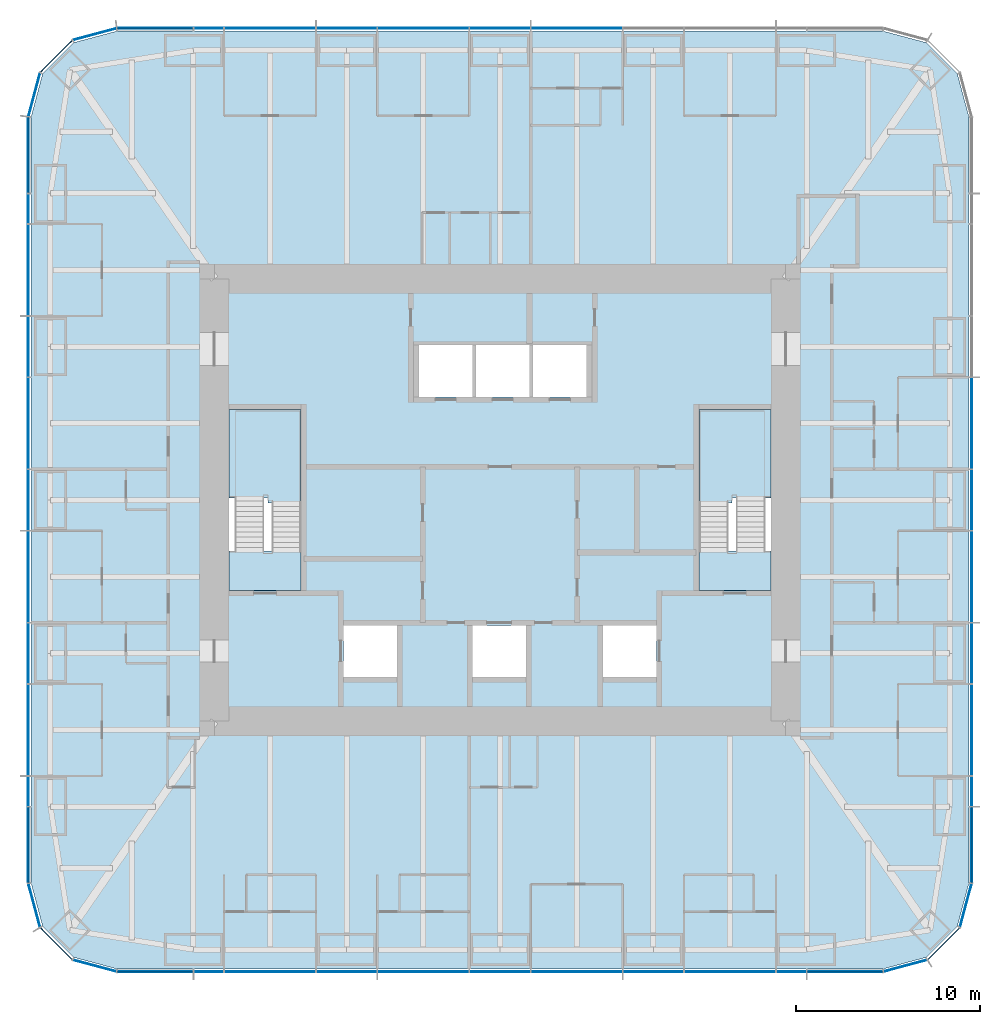
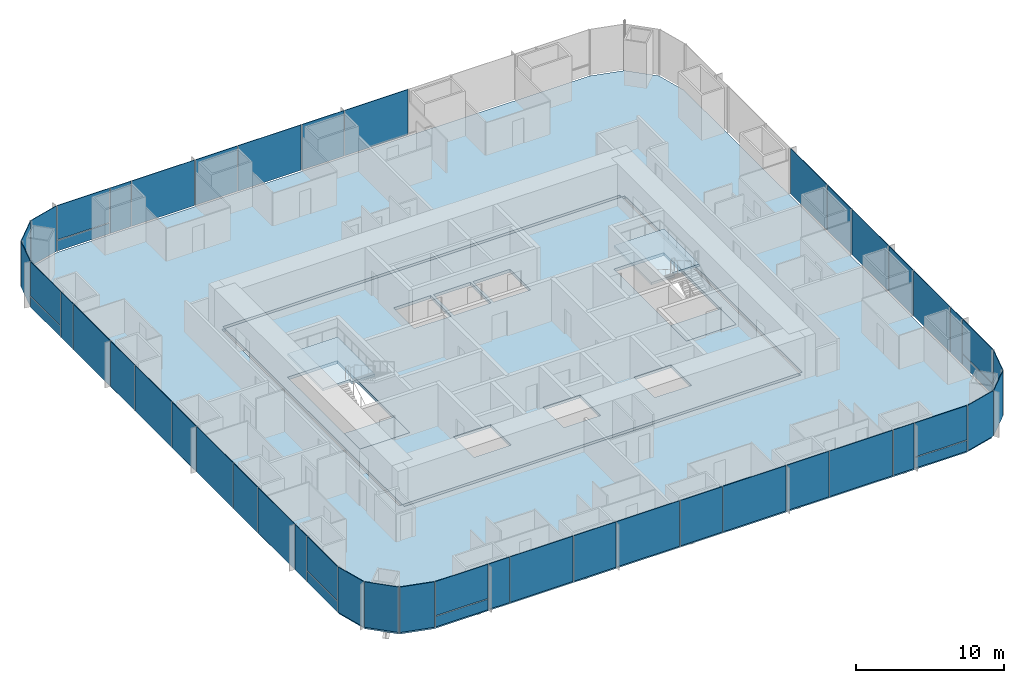
# One storey, part 7 of 13: 51 plates, 6 slabs, 9 elements without a shape of their own.
"""IFC4 building model written with IfcOpenShell, lengths in metres."""

from ifc_helpers import new_model, si_unit, direction, frame, origin, origin_2d, place, context, subcontext, project, spatial, polyline, rectangle, outline, extrude, material, layer, layer_set, type_object, element, aggregate, save


model = new_model("IFC4")

# Units and contexts
model_context = context("Model", 3, precision=1e-05, world=origin(), true_north=direction((0.0, 1.0)))
body_context = subcontext(model_context, "Body", "Model", "MODEL_VIEW")
ifc_project = project(units=[si_unit("LENGTHUNIT", "METRE"), si_unit("AREAUNIT", "SQUARE_METRE"), si_unit("VOLUMEUNIT", "CUBIC_METRE"), si_unit("PLANEANGLEUNIT", "RADIAN"), si_unit("MASSUNIT", "GRAM", prefix="KILO")], contexts=[model_context])

# Site, building, storey
site_placement = place(None, origin())
site = spatial("IfcSite", under=ifc_project, at=site_placement, CompositionType="ELEMENT")
building_placement = place(site_placement, origin())
building = spatial("IfcBuilding", under=site, at=building_placement, Name="Khuree Lantern Residences", CompositionType="ELEMENT")
storey_placement = place(building_placement, frame((0.0, 0.0, 270.75)))
storey = spatial("IfcBuildingStorey", under=building, at=storey_placement, Name="L68", CompositionType="ELEMENT", Elevation=270.75)

# Slab
ifc_material_1 = material(Name="Concrete C35/45", Category="concrete")
ifc_layer_1 = layer(ifc_material_1, 0.25)
ifc_layer_set_1 = layer_set([ifc_layer_1], Name="CFL250 CORE FLOOR SLAB 250")
slab_type_1 = type_object("IfcSlabType", Name="CFL250 CORE FLOOR SLAB 250", PredefinedType="FLOOR", material=ifc_layer_set_1)
slab_1_placement = place(storey_placement, frame((0.0, 0.0, -0.25)))
element("IfcSlab", 1, at=slab_1_placement, inside=storey, type_object=slab_type_1, Name="Core floor L68", PredefinedType="FLOOR", context=body_context, shape_type="SweptSolid", body=[
    extrude(outline(polyline([(-15.5, -12.0), (-15.5, 12.0), (15.5, 12.0), (15.5, -12.0), (-15.5, -12.0)]), holes=[polyline([(10.800048828125, 4.89990234375), (10.800048828125, -4.89990234375), (14.699951171875, -4.89990234375), (14.699951171875, 4.89990234375), (10.800048828125, 4.89990234375)]), polyline([(5.60009765625, -6.800048828125), (5.60009765625, -9.60009765625), (8.5, -9.60009765625), (8.5, -6.800048828125), (5.60009765625, -6.800048828125)]), polyline([(1.800048828125, 8.39990234375), (1.800048828125, 5.60009765625), (4.699951171875, 5.60009765625), (4.699951171875, 8.39990234375), (1.800048828125, 8.39990234375)]), polyline([(-1.300048828125, 8.39990234375), (-1.300048828125, 5.60009765625), (1.60009765625, 5.60009765625), (1.60009765625, 8.39990234375), (-1.300048828125, 8.39990234375)]), polyline([(-1.5, -6.800048828125), (-1.5, -9.60009765625), (1.39990234375, -9.60009765625), (1.39990234375, -6.800048828125), (-1.5, -6.800048828125)]), polyline([(-4.39990234375, 8.39990234375), (-4.39990234375, 5.60009765625), (-1.5, 5.60009765625), (-1.5, 8.39990234375), (-4.39990234375, 8.39990234375)]), polyline([(-8.5, -6.800048828125), (-8.5, -9.60009765625), (-5.60009765625, -9.60009765625), (-5.60009765625, -6.800048828125), (-8.5, -6.800048828125)]), polyline([(-14.699951171875, 4.89990234375), (-14.699951171875, -4.89990234375), (-10.800048828125, -4.89990234375), (-10.800048828125, 4.89990234375), (-14.699951171875, 4.89990234375)])]), origin(), (0.0, 0.0, 1.0), 0.25),
])

# Curtain wall, plates
ifc_material_2 = material(Name="Bronze anodised aluminium", Category="aluminium")
curtain_wall_type_1 = type_object("IfcCurtainWallType", Name="CW-T2 TOWER CORNER CURTAIN WALL", PredefinedType="USERDEFINED", material=ifc_material_2)
curtain_wall_1_placement = place(storey_placement, origin())
curtain_wall_1 = element("IfcCurtainWall", 2, at=curtain_wall_1_placement, inside=storey, type_object=curtain_wall_type_1, Name="L68 SOUTH-EAST CORNER CURTAIN WALL", ObjectType="Faceted corner curtain wall", PredefinedType="USERDEFINED")
ifc_material_3 = material(Name="Bronze tinted triple glazing", Category="glass")
ifc_layer_2 = layer(ifc_material_3, 0.048095703125)
ifc_layer_set_2 = layer_set([ifc_layer_2], Name="FACET PANEL P4")
plate_type_1 = type_object("IfcPlateType", Name="FACET PANEL P4", PredefinedType="CURTAIN_PANEL", material=ifc_layer_set_2)
plate_1_placement = place(storey_placement, frame((21.998046875, -25.279052734375, 0.0), z_axis=(0.0, 0.0, 1.0), x_axis=(0.965925832509, 0.258819021888, 0.0)))
plate_1 = element("IfcPlate", 3, at=plate_1_placement, type_object=plate_type_1, Name="L68 SOUTH-EAST CORNER PANEL 1.1", PredefinedType="CURTAIN_PANEL", context=body_context, shape_type="SweptSolid", body=[
    extrude(rectangle(XDim=2.40869140625, YDim=0.048095703125, at=origin_2d()), origin(), (0.0, 0.0, 1.0), 3.75),
])
plate_2_placement = place(storey_placement, frame((24.078369140625, -24.078369140625, 0.0), z_axis=(0.0, 0.0, 1.0), x_axis=(0.707106781187, 0.707106781187, 0.0)))
plate_2 = element("IfcPlate", 4, at=plate_2_placement, type_object=plate_type_1, Name="L68 SOUTH-EAST CORNER PANEL 2.1", PredefinedType="CURTAIN_PANEL", context=body_context, shape_type="SweptSolid", body=[
    extrude(rectangle(XDim=2.404541015625, YDim=0.048095703125, at=origin_2d()), origin(), (0.0, 0.0, 1.0), 3.75),
])
plate_3_placement = place(storey_placement, frame((25.279052734375, -21.998046875, 0.0), z_axis=(0.0, 0.0, 1.0), x_axis=(0.258819021888, 0.965925832509, 0.0)))
plate_3 = element("IfcPlate", 5, at=plate_3_placement, type_object=plate_type_1, Name="L68 SOUTH-EAST CORNER PANEL 3.1", PredefinedType="CURTAIN_PANEL", context=body_context, shape_type="SweptSolid", body=[
    extrude(rectangle(XDim=2.40869140625, YDim=0.048095703125, at=origin_2d()), origin(), (0.0, 0.0, 1.0), 3.75),
])
aggregate(curtain_wall_1, [plate_1, plate_2, plate_3])

curtain_wall_2_placement = place(storey_placement, origin())
curtain_wall_2 = element("IfcCurtainWall", 6, at=curtain_wall_2_placement, inside=storey, type_object=curtain_wall_type_1, Name="L68 NORTH-WEST CORNER CURTAIN WALL", ObjectType="Faceted corner curtain wall", PredefinedType="USERDEFINED")
plate_4_placement = place(storey_placement, frame((-21.998046875, 25.279052734375, 0.0), z_axis=(0.0, 0.0, 1.0), x_axis=(-0.965925832509, -0.258819021888, 0.0)))
plate_4 = element("IfcPlate", 7, at=plate_4_placement, type_object=plate_type_1, Name="L68 NORTH-WEST CORNER PANEL 29.1", PredefinedType="CURTAIN_PANEL", context=body_context, shape_type="SweptSolid", body=[
    extrude(rectangle(XDim=2.40869140625, YDim=0.048095703125, at=origin_2d()), origin(), (0.0, 0.0, 1.0), 3.75),
])
plate_5_placement = place(storey_placement, frame((-24.078369140625, 24.078369140625, 0.0), z_axis=(0.0, 0.0, 1.0), x_axis=(-0.707106781187, -0.707106781187, 0.0)))
plate_5 = element("IfcPlate", 8, at=plate_5_placement, type_object=plate_type_1, Name="L68 NORTH-WEST CORNER PANEL 30.1", PredefinedType="CURTAIN_PANEL", context=body_context, shape_type="SweptSolid", body=[
    extrude(rectangle(XDim=2.404541015625, YDim=0.048095703125, at=origin_2d()), origin(), (0.0, 0.0, 1.0), 3.75),
])
plate_6_placement = place(storey_placement, frame((-25.279052734375, 21.998046875, 0.0), z_axis=(0.0, 0.0, 1.0), x_axis=(-0.258819021888, -0.965925832509, 0.0)))
plate_6 = element("IfcPlate", 9, at=plate_6_placement, type_object=plate_type_1, Name="L68 NORTH-WEST CORNER PANEL 31.1", PredefinedType="CURTAIN_PANEL", context=body_context, shape_type="SweptSolid", body=[
    extrude(rectangle(XDim=2.40869140625, YDim=0.048095703125, at=origin_2d()), origin(), (0.0, 0.0, 1.0), 3.75),
])
aggregate(curtain_wall_2, [plate_4, plate_5, plate_6])

curtain_wall_3_placement = place(storey_placement, origin())
curtain_wall_3 = element("IfcCurtainWall", 10, at=curtain_wall_3_placement, inside=storey, type_object=curtain_wall_type_1, Name="L68 SOUTH-WEST CORNER CURTAIN WALL", ObjectType="Faceted corner curtain wall", PredefinedType="USERDEFINED")
plate_7_placement = place(storey_placement, frame((-25.279052734375, -21.998046875, 0.0), z_axis=(0.0, 0.0, 1.0), x_axis=(0.258819021888, -0.965925832509, 0.0)))
plate_7 = element("IfcPlate", 11, at=plate_7_placement, type_object=plate_type_1, Name="L68 SOUTH-WEST CORNER PANEL 43.1", PredefinedType="CURTAIN_PANEL", context=body_context, shape_type="SweptSolid", body=[
    extrude(rectangle(XDim=2.40869140625, YDim=0.048095703125, at=origin_2d()), origin(), (0.0, 0.0, 1.0), 3.75),
])
plate_8_placement = place(storey_placement, frame((-24.078369140625, -24.078369140625, 0.0), z_axis=(0.0, 0.0, 1.0), x_axis=(0.707106781187, -0.707106781187, 0.0)))
plate_8 = element("IfcPlate", 12, at=plate_8_placement, type_object=plate_type_1, Name="L68 SOUTH-WEST CORNER PANEL 44.1", PredefinedType="CURTAIN_PANEL", context=body_context, shape_type="SweptSolid", body=[
    extrude(rectangle(XDim=2.404541015625, YDim=0.048095703125, at=origin_2d()), origin(), (0.0, 0.0, 1.0), 3.75),
])
plate_9_placement = place(storey_placement, frame((-21.998046875, -25.279052734375, 0.0), z_axis=(0.0, 0.0, 1.0), x_axis=(0.965925832509, -0.258819021888, 0.0)))
plate_9 = element("IfcPlate", 13, at=plate_9_placement, type_object=plate_type_1, Name="L68 SOUTH-WEST CORNER PANEL 45.1", PredefinedType="CURTAIN_PANEL", context=body_context, shape_type="SweptSolid", body=[
    extrude(rectangle(XDim=2.40869140625, YDim=0.048095703125, at=origin_2d()), origin(), (0.0, 0.0, 1.0), 3.75),
])
aggregate(curtain_wall_3, [plate_7, plate_8, plate_9])

curtain_wall_type_2 = type_object("IfcCurtainWallType", Name="CW-T1 TOWER FACE CURTAIN WALL", PredefinedType="USERDEFINED", material=ifc_material_2)
curtain_wall_4_placement = place(storey_placement, origin())
curtain_wall_4 = element("IfcCurtainWall", 14, at=curtain_wall_4_placement, inside=storey, type_object=curtain_wall_type_2, Name="L68 EAST FACE CURTAIN WALL", ObjectType="Stick-built curtain wall", PredefinedType="USERDEFINED")
ifc_material_4 = material(Name="Bronze tinted triple glazing with a ceramic-fritted spandrel band", Category="glass")
ifc_layer_3 = layer(ifc_material_4, 0.048095703125)
ifc_layer_set_3 = layer_set([ifc_layer_3], Name="FIXED LIGHT PANEL P11")
plate_type_2 = type_object("IfcPlateType", Name="FIXED LIGHT PANEL P11", PredefinedType="CURTAIN_PANEL", material=ifc_layer_set_3)
plate_10_placement = place(storey_placement, frame((25.60009765625, -12.47998046875, 0.0), z_axis=(0.0, 0.0, 1.0), x_axis=(0.0, 1.0, 0.0)))
plate_10 = element("IfcPlate", 15, at=plate_10_placement, type_object=plate_type_2, Name="L68 EAST FACE PANEL 6.1", PredefinedType="CURTAIN_PANEL", context=body_context, shape_type="SweptSolid", body=[
    extrude(rectangle(XDim=4.927001953125, YDim=0.048095703125, at=origin_2d()), origin(), (0.0, 0.0, 1.0), 3.75),
])
plate_11_placement = place(storey_placement, frame((25.60009765625, -4.159912109375, 0.0), z_axis=(0.0, 0.0, 1.0), x_axis=(0.0, 1.0, 0.0)))
plate_11 = element("IfcPlate", 16, at=plate_11_placement, type_object=plate_type_2, Name="L68 EAST FACE PANEL 8.1", PredefinedType="CURTAIN_PANEL", context=body_context, shape_type="SweptSolid", body=[
    extrude(rectangle(XDim=4.927001953125, YDim=0.048095703125, at=origin_2d()), origin(), (0.0, 0.0, 1.0), 3.75),
])
plate_12_placement = place(storey_placement, frame((25.60009765625, 4.159912109375, 0.0), z_axis=(0.0, 0.0, 1.0), x_axis=(0.0, 1.0, 0.0)))
plate_12 = element("IfcPlate", 17, at=plate_12_placement, type_object=plate_type_2, Name="L68 EAST FACE PANEL 10.1", PredefinedType="CURTAIN_PANEL", context=body_context, shape_type="SweptSolid", body=[
    extrude(rectangle(XDim=4.927001953125, YDim=0.048095703125, at=origin_2d()), origin(), (0.0, 0.0, 1.0), 3.75),
])

curtain_wall_5_placement = place(storey_placement, origin())
curtain_wall_5 = element("IfcCurtainWall", 18, at=curtain_wall_5_placement, inside=storey, type_object=curtain_wall_type_2, Name="L68 NORTH FACE CURTAIN WALL", ObjectType="Stick-built curtain wall", PredefinedType="USERDEFINED")
plate_13_placement = place(storey_placement, frame((4.159912109375, 25.60009765625, 0.0), z_axis=(0.0, 0.0, 1.0), x_axis=(-1.0, 0.0, 0.0)))
plate_13 = element("IfcPlate", 19, at=plate_13_placement, type_object=plate_type_2, Name="L68 NORTH FACE PANEL 22.1", PredefinedType="CURTAIN_PANEL", context=body_context, shape_type="SweptSolid", body=[
    extrude(rectangle(XDim=4.927001953125, YDim=0.048095703125, at=origin_2d()), origin(), (0.0, 0.0, 1.0), 3.75),
])
plate_14_placement = place(storey_placement, frame((-4.159912109375, 25.60009765625, 0.0), z_axis=(0.0, 0.0, 1.0), x_axis=(-1.0, 0.0, 0.0)))
plate_14 = element("IfcPlate", 20, at=plate_14_placement, type_object=plate_type_2, Name="L68 NORTH FACE PANEL 24.1", PredefinedType="CURTAIN_PANEL", context=body_context, shape_type="SweptSolid", body=[
    extrude(rectangle(XDim=4.927001953125, YDim=0.048095703125, at=origin_2d()), origin(), (0.0, 0.0, 1.0), 3.75),
])
plate_15_placement = place(storey_placement, frame((-12.47998046875, 25.60009765625, 0.0), z_axis=(0.0, 0.0, 1.0), x_axis=(-1.0, 0.0, 0.0)))
plate_15 = element("IfcPlate", 21, at=plate_15_placement, type_object=plate_type_2, Name="L68 NORTH FACE PANEL 26.1", PredefinedType="CURTAIN_PANEL", context=body_context, shape_type="SweptSolid", body=[
    extrude(rectangle(XDim=4.927001953125, YDim=0.048095703125, at=origin_2d()), origin(), (0.0, 0.0, 1.0), 3.75),
])

curtain_wall_6_placement = place(storey_placement, origin())
curtain_wall_6 = element("IfcCurtainWall", 22, at=curtain_wall_6_placement, inside=storey, type_object=curtain_wall_type_2, Name="L68 WEST FACE CURTAIN WALL", ObjectType="Stick-built curtain wall", PredefinedType="USERDEFINED")
plate_16_placement = place(storey_placement, frame((-25.60009765625, 12.47998046875, 0.0), z_axis=(0.0, 0.0, 1.0), x_axis=(0.0, -1.0, 0.0)))
plate_16 = element("IfcPlate", 23, at=plate_16_placement, type_object=plate_type_2, Name="L68 WEST FACE PANEL 34.1", PredefinedType="CURTAIN_PANEL", context=body_context, shape_type="SweptSolid", body=[
    extrude(rectangle(XDim=4.927001953125, YDim=0.048095703125, at=origin_2d()), origin(), (0.0, 0.0, 1.0), 3.75),
])
plate_17_placement = place(storey_placement, frame((-25.60009765625, 4.159912109375, 0.0), z_axis=(0.0, 0.0, 1.0), x_axis=(0.0, -1.0, 0.0)))
plate_17 = element("IfcPlate", 24, at=plate_17_placement, type_object=plate_type_2, Name="L68 WEST FACE PANEL 36.1", PredefinedType="CURTAIN_PANEL", context=body_context, shape_type="SweptSolid", body=[
    extrude(rectangle(XDim=4.927001953125, YDim=0.048095703125, at=origin_2d()), origin(), (0.0, 0.0, 1.0), 3.75),
])
plate_18_placement = place(storey_placement, frame((-25.60009765625, -4.159912109375, 0.0), z_axis=(0.0, 0.0, 1.0), x_axis=(0.0, -1.0, 0.0)))
plate_18 = element("IfcPlate", 25, at=plate_18_placement, type_object=plate_type_2, Name="L68 WEST FACE PANEL 38.1", PredefinedType="CURTAIN_PANEL", context=body_context, shape_type="SweptSolid", body=[
    extrude(rectangle(XDim=4.927001953125, YDim=0.048095703125, at=origin_2d()), origin(), (0.0, 0.0, 1.0), 3.75),
])
plate_19_placement = place(storey_placement, frame((-25.60009765625, -12.47998046875, 0.0), z_axis=(0.0, 0.0, 1.0), x_axis=(0.0, -1.0, 0.0)))
plate_19 = element("IfcPlate", 26, at=plate_19_placement, type_object=plate_type_2, Name="L68 WEST FACE PANEL 40.1", PredefinedType="CURTAIN_PANEL", context=body_context, shape_type="SweptSolid", body=[
    extrude(rectangle(XDim=4.927001953125, YDim=0.048095703125, at=origin_2d()), origin(), (0.0, 0.0, 1.0), 3.75),
])

curtain_wall_7_placement = place(storey_placement, origin())
curtain_wall_7 = element("IfcCurtainWall", 27, at=curtain_wall_7_placement, inside=storey, type_object=curtain_wall_type_2, Name="L68 SOUTH FACE CURTAIN WALL", ObjectType="Stick-built curtain wall", PredefinedType="USERDEFINED")
plate_20_placement = place(storey_placement, frame((-12.47998046875, -25.60009765625, 0.0), z_axis=(0.0, 0.0, 1.0), x_axis=(1.0, 0.0, 0.0)))
plate_20 = element("IfcPlate", 28, at=plate_20_placement, type_object=plate_type_2, Name="L68 SOUTH FACE PANEL 48.1", PredefinedType="CURTAIN_PANEL", context=body_context, shape_type="SweptSolid", body=[
    extrude(rectangle(XDim=4.927001953125, YDim=0.048095703125, at=origin_2d()), origin(), (0.0, 0.0, 1.0), 3.75),
])
plate_21_placement = place(storey_placement, frame((-4.159912109375, -25.60009765625, 0.0), z_axis=(0.0, 0.0, 1.0), x_axis=(1.0, 0.0, 0.0)))
plate_21 = element("IfcPlate", 29, at=plate_21_placement, type_object=plate_type_2, Name="L68 SOUTH FACE PANEL 50.1", PredefinedType="CURTAIN_PANEL", context=body_context, shape_type="SweptSolid", body=[
    extrude(rectangle(XDim=4.927001953125, YDim=0.048095703125, at=origin_2d()), origin(), (0.0, 0.0, 1.0), 3.75),
])
plate_22_placement = place(storey_placement, frame((4.159912109375, -25.60009765625, 0.0), z_axis=(0.0, 0.0, 1.0), x_axis=(1.0, 0.0, 0.0)))
plate_22 = element("IfcPlate", 30, at=plate_22_placement, type_object=plate_type_2, Name="L68 SOUTH FACE PANEL 52.1", PredefinedType="CURTAIN_PANEL", context=body_context, shape_type="SweptSolid", body=[
    extrude(rectangle(XDim=4.927001953125, YDim=0.048095703125, at=origin_2d()), origin(), (0.0, 0.0, 1.0), 3.75),
])
plate_23_placement = place(storey_placement, frame((12.47998046875, -25.60009765625, 0.0), z_axis=(0.0, 0.0, 1.0), x_axis=(1.0, 0.0, 0.0)))
plate_23 = element("IfcPlate", 31, at=plate_23_placement, type_object=plate_type_2, Name="L68 SOUTH FACE PANEL 54.1", PredefinedType="CURTAIN_PANEL", context=body_context, shape_type="SweptSolid", body=[
    extrude(rectangle(XDim=4.927001953125, YDim=0.048095703125, at=origin_2d()), origin(), (0.0, 0.0, 1.0), 3.75),
])

# Slab
ifc_layer_4 = layer(ifc_material_1, 0.25)
ifc_layer_set_4 = layer_set([ifc_layer_4], Name="FS250 FLOOR SLAB 250")
slab_type_2 = type_object("IfcSlabType", Name="FS250 FLOOR SLAB 250", PredefinedType="FLOOR", material=ifc_layer_set_4)
slab_2_placement = place(storey_placement, frame((0.0, 0.0, -0.25)))
element("IfcSlab", 32, at=slab_2_placement, inside=storey, type_object=slab_type_2, Name="Floor slab L68", PredefinedType="FLOOR", context=body_context, shape_type="SweptSolid", body=[
    extrude(outline(polyline([(-23.125, -24.826904296875), (-24.826904296875, -23.125), (-25.449951171875, -20.800048828125), (-25.449951171875, 20.800048828125), (-24.826904296875, 23.125), (-23.125, 24.826904296875), (-20.800048828125, 25.449951171875), (20.800048828125, 25.449951171875), (23.125, 24.826904296875), (24.826904296875, 23.125), (25.449951171875, 20.800048828125), (25.449951171875, -20.800048828125), (24.826904296875, -23.125), (23.125, -24.826904296875), (20.800048828125, -25.449951171875), (-20.800048828125, -25.449951171875), (-23.125, -24.826904296875)]), holes=[polyline([(15.75, 12.0), (15.5, 12.0), (15.5, 12.25), (-15.5, 12.25), (-15.5, 12.0), (-15.75, 12.0), (-15.75, -12.0), (-15.5, -12.0), (-15.5, -12.25), (15.5, -12.25), (15.5, -12.0), (15.75, -12.0), (15.75, 12.0)])]), origin(), (0.0, 0.0, 1.0), 0.25),
])

# Plate
ifc_material_5 = material(Name="Bronze tinted triple glazing, two aluminium-framed sashes in one frame", Category="aluminium")
ifc_layer_5 = layer(ifc_material_5, 0.048095703125)
ifc_layer_set_5 = layer_set([ifc_layer_5], Name="SASH PAIR PANEL P12")
plate_type_3 = type_object("IfcPlateType", Name="SASH PAIR PANEL P12", PredefinedType="CURTAIN_PANEL", material=ifc_layer_set_5)
plate_24_placement = place(storey_placement, frame((25.60009765625, -8.320068359375, 0.0), z_axis=(0.0, 0.0, 1.0), x_axis=(0.0, 1.0, 0.0)))
plate_24 = element("IfcPlate", 33, at=plate_24_placement, type_object=plate_type_3, Name="L68 EAST FACE PANEL 7.1", PredefinedType="CURTAIN_PANEL", context=body_context, shape_type="SweptSolid", body=[
    extrude(rectangle(XDim=3.262939453125, YDim=0.048095703125, at=origin_2d()), origin(), (0.0, 0.0, 1.0), 3.75),
])

plate_25_placement = place(storey_placement, frame((25.60009765625, 0.0, 0.0), z_axis=(0.0, 0.0, 1.0), x_axis=(0.0, 1.0, 0.0)))
plate_25 = element("IfcPlate", 34, at=plate_25_placement, type_object=plate_type_3, Name="L68 EAST FACE PANEL 9.1", PredefinedType="CURTAIN_PANEL", context=body_context, shape_type="SweptSolid", body=[
    extrude(rectangle(XDim=3.262939453125, YDim=0.048095703125, at=origin_2d()), origin(), (0.0, 0.0, 1.0), 3.75),
])

plate_26_placement = place(storey_placement, frame((0.0, 25.60009765625, 0.0), z_axis=(0.0, 0.0, 1.0), x_axis=(-1.0, 0.0, 0.0)))
plate_26 = element("IfcPlate", 35, at=plate_26_placement, type_object=plate_type_3, Name="L68 NORTH FACE PANEL 23.1", PredefinedType="CURTAIN_PANEL", context=body_context, shape_type="SweptSolid", body=[
    extrude(rectangle(XDim=3.262939453125, YDim=0.048095703125, at=origin_2d()), origin(), (0.0, 0.0, 1.0), 3.75),
])

plate_27_placement = place(storey_placement, frame((-8.320068359375, 25.60009765625, 0.0), z_axis=(0.0, 0.0, 1.0), x_axis=(-1.0, 0.0, 0.0)))
plate_27 = element("IfcPlate", 36, at=plate_27_placement, type_object=plate_type_3, Name="L68 NORTH FACE PANEL 25.1", PredefinedType="CURTAIN_PANEL", context=body_context, shape_type="SweptSolid", body=[
    extrude(rectangle(XDim=3.262939453125, YDim=0.048095703125, at=origin_2d()), origin(), (0.0, 0.0, 1.0), 3.75),
])

plate_28_placement = place(storey_placement, frame((-25.60009765625, 8.320068359375, 0.0), z_axis=(0.0, 0.0, 1.0), x_axis=(0.0, -1.0, 0.0)))
plate_28 = element("IfcPlate", 37, at=plate_28_placement, type_object=plate_type_3, Name="L68 WEST FACE PANEL 35.1", PredefinedType="CURTAIN_PANEL", context=body_context, shape_type="SweptSolid", body=[
    extrude(rectangle(XDim=3.262939453125, YDim=0.048095703125, at=origin_2d()), origin(), (0.0, 0.0, 1.0), 3.75),
])

plate_29_placement = place(storey_placement, frame((-25.60009765625, 0.0, 0.0), z_axis=(0.0, 0.0, 1.0), x_axis=(0.0, -1.0, 0.0)))
plate_29 = element("IfcPlate", 38, at=plate_29_placement, type_object=plate_type_3, Name="L68 WEST FACE PANEL 37.1", PredefinedType="CURTAIN_PANEL", context=body_context, shape_type="SweptSolid", body=[
    extrude(rectangle(XDim=3.262939453125, YDim=0.048095703125, at=origin_2d()), origin(), (0.0, 0.0, 1.0), 3.75),
])

plate_30_placement = place(storey_placement, frame((-25.60009765625, -8.320068359375, 0.0), z_axis=(0.0, 0.0, 1.0), x_axis=(0.0, -1.0, 0.0)))
plate_30 = element("IfcPlate", 39, at=plate_30_placement, type_object=plate_type_3, Name="L68 WEST FACE PANEL 39.1", PredefinedType="CURTAIN_PANEL", context=body_context, shape_type="SweptSolid", body=[
    extrude(rectangle(XDim=3.262939453125, YDim=0.048095703125, at=origin_2d()), origin(), (0.0, 0.0, 1.0), 3.75),
])

plate_31_placement = place(storey_placement, frame((-8.320068359375, -25.60009765625, 0.0), z_axis=(0.0, 0.0, 1.0), x_axis=(1.0, 0.0, 0.0)))
plate_31 = element("IfcPlate", 40, at=plate_31_placement, type_object=plate_type_3, Name="L68 SOUTH FACE PANEL 49.1", PredefinedType="CURTAIN_PANEL", context=body_context, shape_type="SweptSolid", body=[
    extrude(rectangle(XDim=3.262939453125, YDim=0.048095703125, at=origin_2d()), origin(), (0.0, 0.0, 1.0), 3.75),
])

plate_32_placement = place(storey_placement, frame((0.0, -25.60009765625, 0.0), z_axis=(0.0, 0.0, 1.0), x_axis=(1.0, 0.0, 0.0)))
plate_32 = element("IfcPlate", 41, at=plate_32_placement, type_object=plate_type_3, Name="L68 SOUTH FACE PANEL 51.1", PredefinedType="CURTAIN_PANEL", context=body_context, shape_type="SweptSolid", body=[
    extrude(rectangle(XDim=3.262939453125, YDim=0.048095703125, at=origin_2d()), origin(), (0.0, 0.0, 1.0), 3.75),
])

plate_33_placement = place(storey_placement, frame((8.320068359375, -25.60009765625, 0.0), z_axis=(0.0, 0.0, 1.0), x_axis=(1.0, 0.0, 0.0)))
plate_33 = element("IfcPlate", 42, at=plate_33_placement, type_object=plate_type_3, Name="L68 SOUTH FACE PANEL 53.1", PredefinedType="CURTAIN_PANEL", context=body_context, shape_type="SweptSolid", body=[
    extrude(rectangle(XDim=3.262939453125, YDim=0.048095703125, at=origin_2d()), origin(), (0.0, 0.0, 1.0), 3.75),
])

ifc_material_6 = material(Name="Bronze tinted triple glazing, aluminium-framed sash", Category="aluminium")
ifc_layer_6 = layer(ifc_material_6, 0.048095703125)
ifc_layer_set_6 = layer_set([ifc_layer_6], Name="SASH PANEL P3")
plate_type_4 = type_object("IfcPlateType", Name="SASH PANEL P3", PredefinedType="CURTAIN_PANEL", material=ifc_layer_set_6)
plate_34_placement = place(storey_placement, frame((25.60009765625, -15.80810546875, 0.0), z_axis=(0.0, 0.0, 1.0), x_axis=(0.0, 1.0, 0.0)))
plate_34 = element("IfcPlate", 43, at=plate_34_placement, type_object=plate_type_4, Name="L68 EAST FACE PANEL 5.1", PredefinedType="CURTAIN_PANEL", context=body_context, shape_type="SweptSolid", body=[
    extrude(rectangle(XDim=1.59912109375, YDim=0.048095703125, at=origin_2d()), origin(), (0.0, 0.0, 1.0), 3.75),
])

plate_35_placement = place(storey_placement, frame((-15.80810546875, 25.60009765625, 0.0), z_axis=(0.0, 0.0, 1.0), x_axis=(-1.0, 0.0, 0.0)))
plate_35 = element("IfcPlate", 44, at=plate_35_placement, type_object=plate_type_4, Name="L68 NORTH FACE PANEL 27.1", PredefinedType="CURTAIN_PANEL", context=body_context, shape_type="SweptSolid", body=[
    extrude(rectangle(XDim=1.59912109375, YDim=0.048095703125, at=origin_2d()), origin(), (0.0, 0.0, 1.0), 3.75),
])

plate_36_placement = place(storey_placement, frame((-25.60009765625, 15.80810546875, 0.0), z_axis=(0.0, 0.0, 1.0), x_axis=(0.0, -1.0, 0.0)))
plate_36 = element("IfcPlate", 45, at=plate_36_placement, type_object=plate_type_4, Name="L68 WEST FACE PANEL 33.1", PredefinedType="CURTAIN_PANEL", context=body_context, shape_type="SweptSolid", body=[
    extrude(rectangle(XDim=1.59912109375, YDim=0.048095703125, at=origin_2d()), origin(), (0.0, 0.0, 1.0), 3.75),
])

plate_37_placement = place(storey_placement, frame((-25.60009765625, -15.80810546875, 0.0), z_axis=(0.0, 0.0, 1.0), x_axis=(0.0, -1.0, 0.0)))
plate_37 = element("IfcPlate", 46, at=plate_37_placement, type_object=plate_type_4, Name="L68 WEST FACE PANEL 41.1", PredefinedType="CURTAIN_PANEL", context=body_context, shape_type="SweptSolid", body=[
    extrude(rectangle(XDim=1.59912109375, YDim=0.048095703125, at=origin_2d()), origin(), (0.0, 0.0, 1.0), 3.75),
])

plate_38_placement = place(storey_placement, frame((-15.80810546875, -25.60009765625, 0.0), z_axis=(0.0, 0.0, 1.0), x_axis=(1.0, 0.0, 0.0)))
plate_38 = element("IfcPlate", 47, at=plate_38_placement, type_object=plate_type_4, Name="L68 SOUTH FACE PANEL 47.1", PredefinedType="CURTAIN_PANEL", context=body_context, shape_type="SweptSolid", body=[
    extrude(rectangle(XDim=1.59912109375, YDim=0.048095703125, at=origin_2d()), origin(), (0.0, 0.0, 1.0), 3.75),
])

plate_39_placement = place(storey_placement, frame((15.80810546875, -25.60009765625, 0.0), z_axis=(0.0, 0.0, 1.0), x_axis=(1.0, 0.0, 0.0)))
plate_39 = element("IfcPlate", 48, at=plate_39_placement, type_object=plate_type_4, Name="L68 SOUTH FACE PANEL 55.1", PredefinedType="CURTAIN_PANEL", context=body_context, shape_type="SweptSolid", body=[
    extrude(rectangle(XDim=1.59912109375, YDim=0.048095703125, at=origin_2d()), origin(), (0.0, 0.0, 1.0), 3.75),
])

ifc_material_7 = material(Name="Bronze anodised aluminium insulated spandrel", Category="aluminium")
ifc_layer_7 = layer(ifc_material_7, 0.06005859375)
ifc_layer_set_7 = layer_set([ifc_layer_7], Name="SPANDREL PANEL P2")
plate_type_5 = type_object("IfcPlateType", Name="SPANDREL PANEL P2", PredefinedType="CURTAIN_PANEL", material=ifc_layer_set_7)
plate_40_placement = place(storey_placement, frame((25.60009765625, -18.7177734375, 0.0), z_axis=(0.0, 0.0, 1.0), x_axis=(0.0, 1.0, 0.0)))
plate_40 = element("IfcPlate", 49, at=plate_40_placement, type_object=plate_type_5, Name="L68 EAST FACE PANEL 4.1", PredefinedType="CURTAIN_PANEL", context=body_context, shape_type="SweptSolid", body=[
    extrude(rectangle(XDim=4.0908203125, YDim=0.06005859375, at=origin_2d()), origin(), (0.0, 0.0, 1.0), 0.867431640625),
])

plate_41_placement = place(storey_placement, frame((-18.7177734375, 25.60009765625, 0.0), z_axis=(0.0, 0.0, 1.0), x_axis=(-1.0, 0.0, 0.0)))
plate_41 = element("IfcPlate", 50, at=plate_41_placement, type_object=plate_type_5, Name="L68 NORTH FACE PANEL 28.1", PredefinedType="CURTAIN_PANEL", context=body_context, shape_type="SweptSolid", body=[
    extrude(rectangle(XDim=4.0908203125, YDim=0.06005859375, at=origin_2d()), origin(), (0.0, 0.0, 1.0), 0.867431640625),
])

plate_42_placement = place(storey_placement, frame((-25.60009765625, 18.7177734375, 0.0), z_axis=(0.0, 0.0, 1.0), x_axis=(0.0, -1.0, 0.0)))
plate_42 = element("IfcPlate", 51, at=plate_42_placement, type_object=plate_type_5, Name="L68 WEST FACE PANEL 32.1", PredefinedType="CURTAIN_PANEL", context=body_context, shape_type="SweptSolid", body=[
    extrude(rectangle(XDim=4.0908203125, YDim=0.06005859375, at=origin_2d()), origin(), (0.0, 0.0, 1.0), 0.867431640625),
])

plate_43_placement = place(storey_placement, frame((-25.60009765625, -18.7177734375, 0.0), z_axis=(0.0, 0.0, 1.0), x_axis=(0.0, -1.0, 0.0)))
plate_43 = element("IfcPlate", 52, at=plate_43_placement, type_object=plate_type_5, Name="L68 WEST FACE PANEL 42.1", PredefinedType="CURTAIN_PANEL", context=body_context, shape_type="SweptSolid", body=[
    extrude(rectangle(XDim=4.0908203125, YDim=0.06005859375, at=origin_2d()), origin(), (0.0, 0.0, 1.0), 0.867431640625),
])

plate_44_placement = place(storey_placement, frame((-18.7177734375, -25.60009765625, 0.0), z_axis=(0.0, 0.0, 1.0), x_axis=(1.0, 0.0, 0.0)))
plate_44 = element("IfcPlate", 53, at=plate_44_placement, type_object=plate_type_5, Name="L68 SOUTH FACE PANEL 46.1", PredefinedType="CURTAIN_PANEL", context=body_context, shape_type="SweptSolid", body=[
    extrude(rectangle(XDim=4.0908203125, YDim=0.06005859375, at=origin_2d()), origin(), (0.0, 0.0, 1.0), 0.867431640625),
])

plate_45_placement = place(storey_placement, frame((18.7177734375, -25.60009765625, 0.0), z_axis=(0.0, 0.0, 1.0), x_axis=(1.0, 0.0, 0.0)))
plate_45 = element("IfcPlate", 54, at=plate_45_placement, type_object=plate_type_5, Name="L68 SOUTH FACE PANEL 56.1", PredefinedType="CURTAIN_PANEL", context=body_context, shape_type="SweptSolid", body=[
    extrude(rectangle(XDim=4.0908203125, YDim=0.06005859375, at=origin_2d()), origin(), (0.0, 0.0, 1.0), 0.867431640625),
])

# Stair, slabs
ifc_material_8 = material(Name="Concrete C40/50", Category="concrete")
stair_type = type_object("IfcStairType", Name="STAIR ST1 HALF TURN 3600", PredefinedType="HALF_TURN_STAIR", material=ifc_material_8)
stair_1_placement = place(storey_placement, origin())
stair_1 = element("IfcStair", 55, at=stair_1_placement, inside=storey, type_object=stair_type, Name="Stair ST1", PredefinedType="HALF_TURN_STAIR")
ifc_layer_8 = layer(ifc_material_8, 0.199951171875)
ifc_layer_set_8 = layer_set([ifc_layer_8], Name="STAIR LANDING SL1 200")
slab_type_3 = type_object("IfcSlabType", Name="STAIR LANDING SL1 200", PredefinedType="LANDING", material=ifc_layer_set_8)
slab_3_placement = place(storey_placement, frame((0.0, 0.0, -0.199951171875)))
slab_3 = element("IfcSlab", 56, at=slab_3_placement, type_object=slab_type_3, Name="ST1 landing 1", PredefinedType="LANDING", context=body_context, shape_type="SweptSolid", body=[
    extrude(outline(polyline([(-14.699951171875, -4.89990234375), (-10.800048828125, -4.89990234375), (-10.800048828125, -2.760009765625), (-14.699951171875, -2.760009765625), (-14.699951171875, -4.89990234375)])), origin(), (0.0, 0.0, 1.0), 0.199951171875),
])
slab_4_placement = place(storey_placement, frame((0.0, 0.0, 1.756591796875)))
slab_4 = element("IfcSlab", 57, at=slab_4_placement, type_object=slab_type_3, Name="ST1 landing 2", PredefinedType="LANDING", context=body_context, shape_type="SweptSolid", body=[
    extrude(outline(polyline([(-14.699951171875, 0.1201171875), (-14.699951171875, 4.89990234375), (-10.800048828125, 4.89990234375), (-10.800048828125, -0.159912109375), (-12.60009765625, -0.159912109375), (-12.60009765625, 0.1201171875), (-14.699951171875, 0.1201171875)])), origin(), (0.0, 0.0, 1.0), 0.199951171875),
])
aggregate(stair_1, [slab_3, slab_4])

stair_2_placement = place(storey_placement, origin())
stair_2 = element("IfcStair", 58, at=stair_2_placement, inside=storey, type_object=stair_type, Name="Stair ST2", PredefinedType="HALF_TURN_STAIR")
slab_5_placement = place(storey_placement, frame((0.0, 0.0, -0.199951171875)))
slab_5 = element("IfcSlab", 59, at=slab_5_placement, type_object=slab_type_3, Name="ST2 landing 1", PredefinedType="LANDING", context=body_context, shape_type="SweptSolid", body=[
    extrude(outline(polyline([(10.800048828125, -4.89990234375), (14.699951171875, -4.89990234375), (14.699951171875, -2.760009765625), (10.800048828125, -2.760009765625), (10.800048828125, -4.89990234375)])), origin(), (0.0, 0.0, 1.0), 0.199951171875),
])
slab_6_placement = place(storey_placement, frame((0.0, 0.0, 1.756591796875)))
slab_6 = element("IfcSlab", 60, at=slab_6_placement, type_object=slab_type_3, Name="ST2 landing 2", PredefinedType="LANDING", context=body_context, shape_type="SweptSolid", body=[
    extrude(outline(polyline([(14.699951171875, 4.89990234375), (14.699951171875, 0.1201171875), (12.60009765625, 0.1201171875), (12.60009765625, -0.159912109375), (10.800048828125, -0.159912109375), (10.800048828125, 4.89990234375), (14.699951171875, 4.89990234375)])), origin(), (0.0, 0.0, 1.0), 0.199951171875),
])
aggregate(stair_2, [slab_5, slab_6])

# Plate
ifc_layer_9 = layer(ifc_material_3, 0.048095703125)
ifc_layer_set_9 = layer_set([ifc_layer_9], Name="VISION PANEL P1")
plate_type_6 = type_object("IfcPlateType", Name="VISION PANEL P1", PredefinedType="CURTAIN_PANEL", material=ifc_layer_set_9)
plate_46_placement = place(storey_placement, frame((25.60009765625, -18.71826171875, 0.9326171875), z_axis=(0.0, 0.0, 1.0), x_axis=(0.0, 1.0, 0.0)))
plate_46 = element("IfcPlate", 61, at=plate_46_placement, type_object=plate_type_6, Name="L68 EAST FACE PANEL 4.2", PredefinedType="CURTAIN_PANEL", context=body_context, shape_type="SweptSolid", body=[
    extrude(rectangle(XDim=4.091552734375, YDim=0.048095703125, at=origin_2d()), origin(), (0.0, 0.0, 1.0), 2.8173828125),
])

aggregate(curtain_wall_4, [plate_40, plate_46, plate_34, plate_10, plate_24, plate_11, plate_25, plate_12])

plate_47_placement = place(storey_placement, frame((-18.71826171875, 25.60009765625, 0.9326171875), z_axis=(0.0, 0.0, 1.0), x_axis=(-1.0, 0.0, 0.0)))
plate_47 = element("IfcPlate", 62, at=plate_47_placement, type_object=plate_type_6, Name="L68 NORTH FACE PANEL 28.2", PredefinedType="CURTAIN_PANEL", context=body_context, shape_type="SweptSolid", body=[
    extrude(rectangle(XDim=4.091552734375, YDim=0.048095703125, at=origin_2d()), origin(), (0.0, 0.0, 1.0), 2.8173828125),
])

aggregate(curtain_wall_5, [plate_13, plate_26, plate_14, plate_27, plate_15, plate_35, plate_41, plate_47])

plate_48_placement = place(storey_placement, frame((-25.60009765625, 18.71826171875, 0.9326171875), z_axis=(0.0, 0.0, 1.0), x_axis=(0.0, -1.0, 0.0)))
plate_48 = element("IfcPlate", 63, at=plate_48_placement, type_object=plate_type_6, Name="L68 WEST FACE PANEL 32.2", PredefinedType="CURTAIN_PANEL", context=body_context, shape_type="SweptSolid", body=[
    extrude(rectangle(XDim=4.091552734375, YDim=0.048095703125, at=origin_2d()), origin(), (0.0, 0.0, 1.0), 2.8173828125),
])

plate_49_placement = place(storey_placement, frame((-25.60009765625, -18.71826171875, 0.9326171875), z_axis=(0.0, 0.0, 1.0), x_axis=(0.0, -1.0, 0.0)))
plate_49 = element("IfcPlate", 64, at=plate_49_placement, type_object=plate_type_6, Name="L68 WEST FACE PANEL 42.2", PredefinedType="CURTAIN_PANEL", context=body_context, shape_type="SweptSolid", body=[
    extrude(rectangle(XDim=4.091552734375, YDim=0.048095703125, at=origin_2d()), origin(), (0.0, 0.0, 1.0), 2.8173828125),
])

aggregate(curtain_wall_6, [plate_42, plate_48, plate_36, plate_16, plate_28, plate_17, plate_29, plate_18, plate_30, plate_19, plate_37, plate_43, plate_49])

plate_50_placement = place(storey_placement, frame((-18.71826171875, -25.60009765625, 0.9326171875), z_axis=(0.0, 0.0, 1.0), x_axis=(1.0, 0.0, 0.0)))
plate_50 = element("IfcPlate", 65, at=plate_50_placement, type_object=plate_type_6, Name="L68 SOUTH FACE PANEL 46.2", PredefinedType="CURTAIN_PANEL", context=body_context, shape_type="SweptSolid", body=[
    extrude(rectangle(XDim=4.091552734375, YDim=0.048095703125, at=origin_2d()), origin(), (0.0, 0.0, 1.0), 2.8173828125),
])

plate_51_placement = place(storey_placement, frame((18.71826171875, -25.60009765625, 0.9326171875), z_axis=(0.0, 0.0, 1.0), x_axis=(1.0, 0.0, 0.0)))
plate_51 = element("IfcPlate", 66, at=plate_51_placement, type_object=plate_type_6, Name="L68 SOUTH FACE PANEL 56.2", PredefinedType="CURTAIN_PANEL", context=body_context, shape_type="SweptSolid", body=[
    extrude(rectangle(XDim=4.091552734375, YDim=0.048095703125, at=origin_2d()), origin(), (0.0, 0.0, 1.0), 2.8173828125),
])

aggregate(curtain_wall_7, [plate_44, plate_50, plate_38, plate_20, plate_31, plate_21, plate_32, plate_22, plate_33, plate_23, plate_39, plate_45, plate_51])

save(model, "model.ifc")
